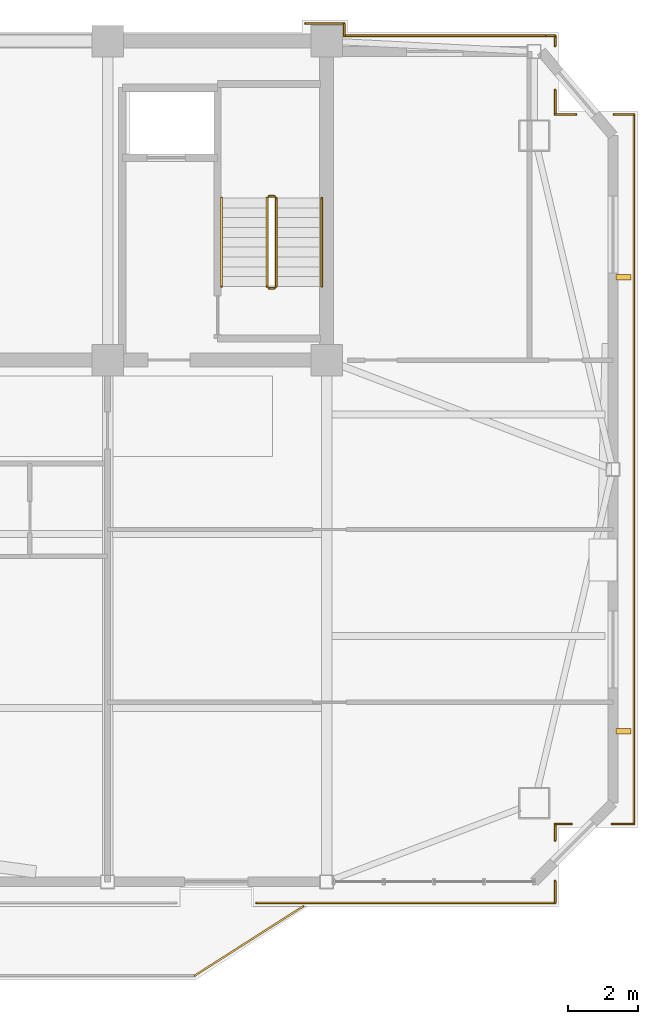
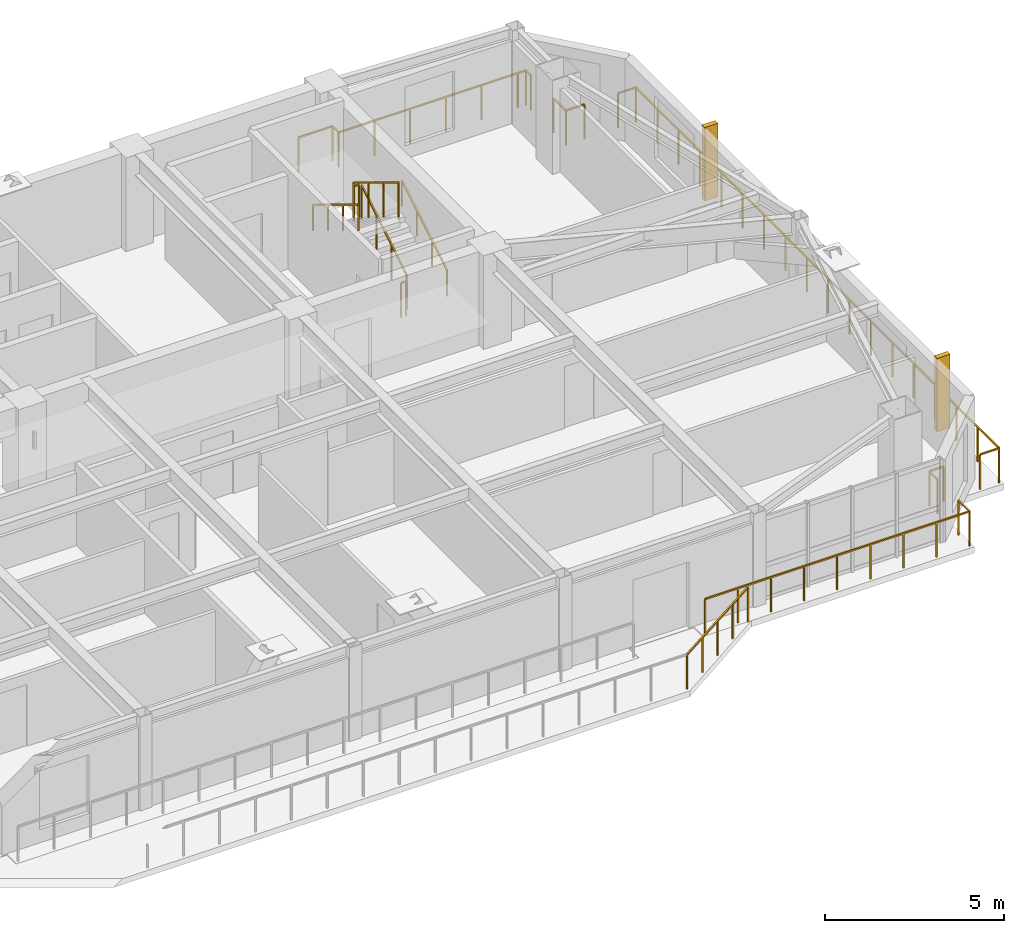
# One storey, part 12 of 12: 21 railings, 2 shading devices.
"""IFC4 building model written with IfcOpenShell, lengths in metres."""

from ifc_helpers import new_model, si_unit, direction, frame, origin, origin_2d, place, context, subcontext, project, spatial, rectangle, extrude, source, transform, mapped, material, type_object, element, save


model = new_model("IFC4")

# Units and contexts
model_context = context("Model", 3, precision=1e-05, world=origin(), true_north=direction((0.0, 1.0)))
body_context = subcontext(model_context, "Body", "Model", "MODEL_VIEW")
ifc_project = project(units=[si_unit("LENGTHUNIT", "METRE"), si_unit("AREAUNIT", "SQUARE_METRE"), si_unit("VOLUMEUNIT", "CUBIC_METRE"), si_unit("PLANEANGLEUNIT", "RADIAN"), si_unit("MASSUNIT", "GRAM", prefix="KILO")], contexts=[model_context])

# Site, building, storey
site_placement = place(None, origin())
site = spatial("IfcSite", under=ifc_project, at=site_placement, CompositionType="ELEMENT")
building_placement = place(site_placement, origin())
building = spatial("IfcBuilding", under=site, at=building_placement, Name="Giltprow Tower", CompositionType="ELEMENT")
storey_placement = place(building_placement, frame((0.0, 0.0, 339.10009765625)))
storey = spatial("IfcBuildingStorey", under=building, at=storey_placement, Name="L88", CompositionType="ELEMENT", Elevation=339.10009765625)

# Railings
ifc_material = material(Name="Anodized bronze", Category="metal")
railing_type_1 = type_object("IfcRailingType", Name="RAIL-BALC-GUARD-1200", PredefinedType="BALUSTRADE", material=ifc_material)
railing_1_placement = place(storey_placement, frame((46.780029296875, 19.887939453125, 0.0)))
element("IfcRailing", 1, at=railing_1_placement, inside=storey, type_object=railing_type_1, Name="L88 Waterfront Balcony Balustrade Seg 3", PredefinedType="BALUSTRADE", context=body_context, shape_type="SweptSolid", body=[
    extrude(rectangle(XDim=0.048095703125, YDim=0.048095703125, at=origin_2d()), frame((0.0, 0.0, 1.17578125), z_axis=(0.842755646126, 0.538296313309, 0.0), x_axis=(-0.538296313309, 0.842755646126, 0.0)), (0.0, 0.0, 1.0), 3.67822265625),
    extrude(rectangle(XDim=0.0419921875, YDim=0.0419921875, at=origin_2d()), origin(), (0.0, 0.0, 1.0), 1.15185546875),
    extrude(rectangle(XDim=0.0419921875, YDim=0.0419921875, at=origin_2d()), frame((0.77490234375, 0.4951171875, 0.0)), (0.0, 0.0, 1.0), 1.15185546875),
    extrude(rectangle(XDim=0.0419921875, YDim=0.0419921875, at=origin_2d()), frame((1.5498046875, 0.989990234375, 0.0)), (0.0, 0.0, 1.0), 1.15185546875),
    extrude(rectangle(XDim=0.0419921875, YDim=0.0419921875, at=origin_2d()), frame((2.324951171875, 1.48486328125, 0.0)), (0.0, 0.0, 1.0), 1.15185546875),
    extrude(rectangle(XDim=0.0419921875, YDim=0.0419921875, at=origin_2d()), frame((3.099853515625, 1.97998046875, 0.0)), (0.0, 0.0, 1.0), 1.15185546875),
])
railing_2_placement = place(storey_placement, frame((59.31494140625, 44.4541015625, 0.0)))
element("IfcRailing", 2, at=railing_2_placement, inside=storey, type_object=railing_type_1, Name="L88 Corner Apron Edge Balustrade 1", PredefinedType="BALUSTRADE", context=body_context, shape_type="SweptSolid", body=[
    extrude(rectangle(XDim=0.048095703125, YDim=0.048095703125, at=origin_2d()), frame((0.0, 0.0, 1.17578125), z_axis=(0.0, -1.0, 0.0), x_axis=(1.0, 0.0, 0.0)), (0.0, 0.0, 1.0), 20.239990234375),
    extrude(rectangle(XDim=0.0419921875, YDim=0.0419921875, at=origin_2d()), origin(), (0.0, 0.0, 1.0), 1.15185546875),
    extrude(rectangle(XDim=0.0419921875, YDim=0.0419921875, at=origin_2d()), frame((0.0, -1.190673828125, 0.0)), (0.0, 0.0, 1.0), 1.15185546875),
    extrude(rectangle(XDim=0.0419921875, YDim=0.0419921875, at=origin_2d()), frame((0.0, -2.381103515625, 0.0)), (0.0, 0.0, 1.0), 1.15185546875),
    extrude(rectangle(XDim=0.0419921875, YDim=0.0419921875, at=origin_2d()), frame((0.0, -3.57177734375, 0.0)), (0.0, 0.0, 1.0), 1.15185546875),
    extrude(rectangle(XDim=0.0419921875, YDim=0.0419921875, at=origin_2d()), frame((0.0, -4.762451171875, 0.0)), (0.0, 0.0, 1.0), 1.15185546875),
    extrude(rectangle(XDim=0.0419921875, YDim=0.0419921875, at=origin_2d()), frame((0.0, -5.952880859375, 0.0)), (0.0, 0.0, 1.0), 1.15185546875),
    extrude(rectangle(XDim=0.0419921875, YDim=0.0419921875, at=origin_2d()), frame((0.0, -7.1435546875, 0.0)), (0.0, 0.0, 1.0), 1.15185546875),
    extrude(rectangle(XDim=0.0419921875, YDim=0.0419921875, at=origin_2d()), frame((0.0, -8.334228515625, 0.0)), (0.0, 0.0, 1.0), 1.15185546875),
    extrude(rectangle(XDim=0.0419921875, YDim=0.0419921875, at=origin_2d()), frame((0.0, -9.524658203125, 0.0)), (0.0, 0.0, 1.0), 1.15185546875),
    extrude(rectangle(XDim=0.0419921875, YDim=0.0419921875, at=origin_2d()), frame((0.0, -10.71533203125, 0.0)), (0.0, 0.0, 1.0), 1.15185546875),
    extrude(rectangle(XDim=0.0419921875, YDim=0.0419921875, at=origin_2d()), frame((0.0, -11.90576171875, 0.0)), (0.0, 0.0, 1.0), 1.15185546875),
    extrude(rectangle(XDim=0.0419921875, YDim=0.0419921875, at=origin_2d()), frame((0.0, -13.096435546875, 0.0)), (0.0, 0.0, 1.0), 1.15185546875),
    extrude(rectangle(XDim=0.0419921875, YDim=0.0419921875, at=origin_2d()), frame((0.0, -14.287109375, 0.0)), (0.0, 0.0, 1.0), 1.15185546875),
    extrude(rectangle(XDim=0.0419921875, YDim=0.0419921875, at=origin_2d()), frame((0.0, -15.4775390625, 0.0)), (0.0, 0.0, 1.0), 1.15185546875),
    extrude(rectangle(XDim=0.0419921875, YDim=0.0419921875, at=origin_2d()), frame((0.0, -16.668212890625, 0.0)), (0.0, 0.0, 1.0), 1.15185546875),
    extrude(rectangle(XDim=0.0419921875, YDim=0.0419921875, at=origin_2d()), frame((0.0, -17.85888671875, 0.0)), (0.0, 0.0, 1.0), 1.15185546875),
    extrude(rectangle(XDim=0.0419921875, YDim=0.0419921875, at=origin_2d()), frame((0.0, -19.04931640625, 0.0)), (0.0, 0.0, 1.0), 1.15185546875),
    extrude(rectangle(XDim=0.0419921875, YDim=0.0419921875, at=origin_2d()), frame((0.0, -20.239990234375, 0.0)), (0.0, 0.0, 1.0), 1.15185546875),
])
railing_3_placement = place(storey_placement, frame((59.31494140625, 24.214111328125, 0.0)))
element("IfcRailing", 3, at=railing_3_placement, inside=storey, type_object=railing_type_1, Name="L88 Corner Apron Edge Balustrade 2", PredefinedType="BALUSTRADE", context=body_context, shape_type="SweptSolid", body=[
    extrude(rectangle(XDim=0.048095703125, YDim=0.048095703125, at=origin_2d()), frame((0.0, 0.0, 1.17578125), z_axis=(-1.0, 0.0, 0.0), x_axis=(0.0, -1.0, 0.0)), (0.0, 0.0, 1.0), 0.619873046875),
    extrude(rectangle(XDim=0.0419921875, YDim=0.0419921875, at=origin_2d()), origin(), (0.0, 0.0, 1.0), 1.15185546875),
    extrude(rectangle(XDim=0.0419921875, YDim=0.0419921875, at=origin_2d()), frame((-0.619873046875, 0.0, 0.0)), (0.0, 0.0, 1.0), 1.15185546875),
])
railing_4_placement = place(storey_placement, frame((57.534912109375, 24.214111328125, 0.0)))
element("IfcRailing", 4, at=railing_4_placement, inside=storey, type_object=railing_type_1, Name="L88 Corner Apron Edge Balustrade 3", PredefinedType="BALUSTRADE", context=body_context, shape_type="SweptSolid", body=[
    extrude(rectangle(XDim=0.048095703125, YDim=0.048095703125, at=origin_2d()), frame((0.0, 0.0, 1.17578125), z_axis=(-1.0, 0.0, 0.0), x_axis=(0.0, -1.0, 0.0)), (0.0, 0.0, 1.0), 0.4658203125),
    extrude(rectangle(XDim=0.0419921875, YDim=0.0419921875, at=origin_2d()), origin(), (0.0, 0.0, 1.0), 1.15185546875),
    extrude(rectangle(XDim=0.0419921875, YDim=0.0419921875, at=origin_2d()), frame((-0.4658203125, 0.0, 0.0)), (0.0, 0.0, 1.0), 1.15185546875),
])
railing_5_placement = place(storey_placement, frame((57.069091796875, 24.214111328125, 0.0)))
element("IfcRailing", 5, at=railing_5_placement, inside=storey, type_object=railing_type_1, Name="L88 Corner Apron Edge Balustrade 4", PredefinedType="BALUSTRADE", context=body_context, shape_type="SweptSolid", body=[
    extrude(rectangle(XDim=0.048095703125, YDim=0.048095703125, at=origin_2d()), frame((0.0, 0.0, 1.17578125), z_axis=(0.0, -1.0, 0.0), x_axis=(1.0, 0.0, 0.0)), (0.0, 0.0, 1.0), 0.466064453125),
    extrude(rectangle(XDim=0.0419921875, YDim=0.0419921875, at=origin_2d()), origin(), (0.0, 0.0, 1.0), 1.15185546875),
    extrude(rectangle(XDim=0.0419921875, YDim=0.0419921875, at=origin_2d()), frame((0.0, -0.466064453125, 0.0)), (0.0, 0.0, 1.0), 1.15185546875),
])
railing_6_placement = place(storey_placement, frame((57.069091796875, 22.587890625, 0.0)))
element("IfcRailing", 6, at=railing_6_placement, inside=storey, type_object=railing_type_1, Name="L88 Corner Apron Edge Balustrade 5", PredefinedType="BALUSTRADE", context=body_context, shape_type="SweptSolid", body=[
    extrude(rectangle(XDim=0.048095703125, YDim=0.048095703125, at=origin_2d()), frame((0.0, 0.0, 1.17578125), z_axis=(0.0, -1.0, 0.0), x_axis=(1.0, 0.0, 0.0)), (0.0, 0.0, 1.0), 0.619873046875),
    extrude(rectangle(XDim=0.0419921875, YDim=0.0419921875, at=origin_2d()), origin(), (0.0, 0.0, 1.0), 1.15185546875),
    extrude(rectangle(XDim=0.0419921875, YDim=0.0419921875, at=origin_2d()), frame((0.0, -0.619873046875, 0.0)), (0.0, 0.0, 1.0), 1.15185546875),
])
railing_7_placement = place(storey_placement, frame((57.069091796875, 21.968017578125, 0.0)))
element("IfcRailing", 7, at=railing_7_placement, inside=storey, type_object=railing_type_1, Name="L88 Corner Apron Edge Balustrade 6", PredefinedType="BALUSTRADE", context=body_context, shape_type="SweptSolid", body=[
    extrude(rectangle(XDim=0.048095703125, YDim=0.048095703125, at=origin_2d()), frame((0.0, 0.0, 1.17578125), z_axis=(-1.0, 0.0, 0.0), x_axis=(0.0, -1.0, 0.0)), (0.0, 0.0, 1.0), 8.51904296875),
    extrude(rectangle(XDim=0.0419921875, YDim=0.0419921875, at=origin_2d()), origin(), (0.0, 0.0, 1.0), 1.15185546875),
    extrude(rectangle(XDim=0.0419921875, YDim=0.0419921875, at=origin_2d()), frame((-1.06494140625, 0.0, 0.0)), (0.0, 0.0, 1.0), 1.15185546875),
    extrude(rectangle(XDim=0.0419921875, YDim=0.0419921875, at=origin_2d()), frame((-2.1298828125, 0.0, 0.0)), (0.0, 0.0, 1.0), 1.15185546875),
    extrude(rectangle(XDim=0.0419921875, YDim=0.0419921875, at=origin_2d()), frame((-3.194580078125, 0.0, 0.0)), (0.0, 0.0, 1.0), 1.15185546875),
    extrude(rectangle(XDim=0.0419921875, YDim=0.0419921875, at=origin_2d()), frame((-4.259521484375, 0.0, 0.0)), (0.0, 0.0, 1.0), 1.15185546875),
    extrude(rectangle(XDim=0.0419921875, YDim=0.0419921875, at=origin_2d()), frame((-5.324462890625, 0.0, 0.0)), (0.0, 0.0, 1.0), 1.15185546875),
    extrude(rectangle(XDim=0.0419921875, YDim=0.0419921875, at=origin_2d()), frame((-6.38916015625, 0.0, 0.0)), (0.0, 0.0, 1.0), 1.15185546875),
    extrude(rectangle(XDim=0.0419921875, YDim=0.0419921875, at=origin_2d()), frame((-7.4541015625, 0.0, 0.0)), (0.0, 0.0, 1.0), 1.15185546875),
    extrude(rectangle(XDim=0.0419921875, YDim=0.0419921875, at=origin_2d()), frame((-8.51904296875, 0.0, 0.0)), (0.0, 0.0, 1.0), 1.15185546875),
])
railing_8_placement = place(storey_placement, frame((49.949951171875, 47.050048828125, 0.0)))
element("IfcRailing", 8, at=railing_8_placement, inside=storey, type_object=railing_type_1, Name="L88 Corner Apron Edge Balustrade 22", PredefinedType="BALUSTRADE", context=body_context, shape_type="SweptSolid", body=[
    extrude(rectangle(XDim=0.048095703125, YDim=0.048095703125, at=origin_2d()), frame((0.0, 0.0, 1.17578125), z_axis=(1.0, 0.0, 0.0), x_axis=(0.0, 1.0, 0.0)), (0.0, 0.0, 1.0), 1.10009765625),
    extrude(rectangle(XDim=0.0419921875, YDim=0.0419921875, at=origin_2d()), origin(), (0.0, 0.0, 1.0), 1.15185546875),
    extrude(rectangle(XDim=0.0419921875, YDim=0.0419921875, at=origin_2d()), frame((1.10009765625, 0.0, 0.0)), (0.0, 0.0, 1.0), 1.15185546875),
])
railing_9_placement = place(storey_placement, frame((51.050048828125, 47.050048828125, 0.0)))
element("IfcRailing", 9, at=railing_9_placement, inside=storey, type_object=railing_type_1, Name="L88 Corner Apron Edge Balustrade 23", PredefinedType="BALUSTRADE", context=body_context, shape_type="SweptSolid", body=[
    extrude(rectangle(XDim=0.048095703125, YDim=0.048095703125, at=origin_2d()), frame((0.0, 0.0, 1.17578125), z_axis=(0.0, -1.0, 0.0), x_axis=(1.0, 0.0, 0.0)), (0.0, 0.0, 1.0), 0.35009765625),
    extrude(rectangle(XDim=0.0419921875, YDim=0.0419921875, at=origin_2d()), origin(), (0.0, 0.0, 1.0), 1.15185546875),
    extrude(rectangle(XDim=0.0419921875, YDim=0.0419921875, at=origin_2d()), frame((0.0, -0.35009765625, 0.0)), (0.0, 0.0, 1.0), 1.15185546875),
])
railing_10_placement = place(storey_placement, frame((51.050048828125, 46.699951171875, 0.0)))
element("IfcRailing", 10, at=railing_10_placement, inside=storey, type_object=railing_type_1, Name="L88 Corner Apron Edge Balustrade 24", PredefinedType="BALUSTRADE", context=body_context, shape_type="SweptSolid", body=[
    extrude(rectangle(XDim=0.048095703125, YDim=0.048095703125, at=origin_2d()), frame((0.0, 0.0, 1.17578125), z_axis=(1.0, 0.0, 0.0), x_axis=(0.0, 1.0, 0.0)), (0.0, 0.0, 1.0), 5.745849609375),
    extrude(rectangle(XDim=0.0419921875, YDim=0.0419921875, at=origin_2d()), origin(), (0.0, 0.0, 1.0), 1.15185546875),
    extrude(rectangle(XDim=0.0419921875, YDim=0.0419921875, at=origin_2d()), frame((1.149169921875, 0.0, 0.0)), (0.0, 0.0, 1.0), 1.15185546875),
    extrude(rectangle(XDim=0.0419921875, YDim=0.0419921875, at=origin_2d()), frame((2.29833984375, 0.0, 0.0)), (0.0, 0.0, 1.0), 1.15185546875),
    extrude(rectangle(XDim=0.0419921875, YDim=0.0419921875, at=origin_2d()), frame((3.447509765625, 0.0, 0.0)), (0.0, 0.0, 1.0), 1.15185546875),
    extrude(rectangle(XDim=0.0419921875, YDim=0.0419921875, at=origin_2d()), frame((4.5966796875, 0.0, 0.0)), (0.0, 0.0, 1.0), 1.15185546875),
    extrude(rectangle(XDim=0.0419921875, YDim=0.0419921875, at=origin_2d()), frame((5.745849609375, 0.0, 0.0)), (0.0, 0.0, 1.0), 1.15185546875),
])
railing_11_placement = place(storey_placement, frame((56.823974609375, 46.699951171875, 0.0)))
element("IfcRailing", 11, at=railing_11_placement, inside=storey, type_object=railing_type_1, Name="L88 Corner Apron Edge Balustrade 25", PredefinedType="BALUSTRADE", context=body_context, shape_type="SweptSolid", body=[
    extrude(rectangle(XDim=0.048095703125, YDim=0.048095703125, at=origin_2d()), frame((0.0, 0.0, 1.17578125), z_axis=(1.0, 0.0, 0.0), x_axis=(0.0, 1.0, 0.0)), (0.0, 0.0, 1.0), 0.2451171875),
    extrude(rectangle(XDim=0.0419921875, YDim=0.0419921875, at=origin_2d()), origin(), (0.0, 0.0, 1.0), 1.15185546875),
    extrude(rectangle(XDim=0.0419921875, YDim=0.0419921875, at=origin_2d()), frame((0.2451171875, 0.0, 0.0)), (0.0, 0.0, 1.0), 1.15185546875),
])
railing_12_placement = place(storey_placement, frame((57.069091796875, 46.699951171875, 0.0)))
element("IfcRailing", 12, at=railing_12_placement, inside=storey, type_object=railing_type_1, Name="L88 Corner Apron Edge Balustrade 26", PredefinedType="BALUSTRADE", context=body_context, shape_type="SweptSolid", body=[
    extrude(rectangle(XDim=0.048095703125, YDim=0.048095703125, at=origin_2d()), frame((0.0, 0.0, 1.17578125), z_axis=(0.0, -1.0, 0.0), x_axis=(1.0, 0.0, 0.0)), (0.0, 0.0, 1.0), 0.286865234375),
    extrude(rectangle(XDim=0.0419921875, YDim=0.0419921875, at=origin_2d()), origin(), (0.0, 0.0, 1.0), 1.15185546875),
    extrude(rectangle(XDim=0.0419921875, YDim=0.0419921875, at=origin_2d()), frame((0.0, -0.286865234375, 0.0)), (0.0, 0.0, 1.0), 1.15185546875),
])
railing_13_placement = place(storey_placement, frame((57.069091796875, 45.14990234375, 0.0)))
element("IfcRailing", 13, at=railing_13_placement, inside=storey, type_object=railing_type_1, Name="L88 Corner Apron Edge Balustrade 27", PredefinedType="BALUSTRADE", context=body_context, shape_type="SweptSolid", body=[
    extrude(rectangle(XDim=0.048095703125, YDim=0.048095703125, at=origin_2d()), frame((0.0, 0.0, 1.17578125), z_axis=(0.0, -1.0, 0.0), x_axis=(1.0, 0.0, 0.0)), (0.0, 0.0, 1.0), 0.69580078125),
    extrude(rectangle(XDim=0.0419921875, YDim=0.0419921875, at=origin_2d()), origin(), (0.0, 0.0, 1.0), 1.15185546875),
    extrude(rectangle(XDim=0.0419921875, YDim=0.0419921875, at=origin_2d()), frame((0.0, -0.69580078125, 0.0)), (0.0, 0.0, 1.0), 1.15185546875),
])
railing_14_placement = place(storey_placement, frame((57.069091796875, 44.4541015625, 0.0)))
element("IfcRailing", 14, at=railing_14_placement, inside=storey, type_object=railing_type_1, Name="L88 Corner Apron Edge Balustrade 28", PredefinedType="BALUSTRADE", context=body_context, shape_type="SweptSolid", body=[
    extrude(rectangle(XDim=0.048095703125, YDim=0.048095703125, at=origin_2d()), frame((0.0, 0.0, 1.17578125), z_axis=(1.0, 0.0, 0.0), x_axis=(0.0, 1.0, 0.0)), (0.0, 0.0, 1.0), 0.594970703125),
    extrude(rectangle(XDim=0.0419921875, YDim=0.0419921875, at=origin_2d()), origin(), (0.0, 0.0, 1.0), 1.15185546875),
    extrude(rectangle(XDim=0.0419921875, YDim=0.0419921875, at=origin_2d()), frame((0.594970703125, 0.0, 0.0)), (0.0, 0.0, 1.0), 1.15185546875),
])
railing_15_placement = place(storey_placement, frame((58.741943359375, 44.4541015625, 0.0)))
element("IfcRailing", 15, at=railing_15_placement, inside=storey, type_object=railing_type_1, Name="L88 Corner Apron Edge Balustrade 29", PredefinedType="BALUSTRADE", context=body_context, shape_type="SweptSolid", body=[
    extrude(rectangle(XDim=0.048095703125, YDim=0.048095703125, at=origin_2d()), frame((0.0, 0.0, 1.17578125), z_axis=(1.0, 0.0, 0.0), x_axis=(0.0, 1.0, 0.0)), (0.0, 0.0, 1.0), 0.572998046875),
    extrude(rectangle(XDim=0.0419921875, YDim=0.0419921875, at=origin_2d()), origin(), (0.0, 0.0, 1.0), 1.15185546875),
    extrude(rectangle(XDim=0.0419921875, YDim=0.0419921875, at=origin_2d()), frame((0.572998046875, 0.0, 0.0)), (0.0, 0.0, 1.0), 1.15185546875),
])
railing_type_2 = type_object("IfcRailingType", Name="RAIL-STAIR-GUARD-1200", PredefinedType="GUARDRAIL", material=ifc_material)
railing_16_placement = place(storey_placement, frame((49.110107421875, 39.550048828125, 0.169921875)))
element("IfcRailing", 16, at=railing_16_placement, inside=storey, type_object=railing_type_2, Name="L88 ST-3 stair guard 1", PredefinedType="GUARDRAIL", context=body_context, shape_type="SweptSolid", body=[
    extrude(rectangle(XDim=0.048095703125, YDim=0.048095703125, at=origin_2d()), frame((0.0, 0.0, 1.17578125), z_axis=(0.0, 0.85478489116, 0.518982456201), x_axis=(-1.0, 0.0, 0.0)), (0.0, 0.0, 1.0), 2.9482421875),
    extrude(rectangle(XDim=0.0419921875, YDim=0.0419921875, at=origin_2d()), origin(), (0.0, 0.0, 1.0), 1.15185546875),
    extrude(rectangle(XDim=0.0419921875, YDim=0.0419921875, at=origin_2d()), frame((0.0, 0.840087890625, 0.510009765625)), (0.0, 0.0, 1.0), 1.15185546875),
    extrude(rectangle(XDim=0.0419921875, YDim=0.0419921875, at=origin_2d()), frame((0.0, 1.679931640625, 1.02001953125)), (0.0, 0.0, 1.0), 1.15185546875),
    extrude(rectangle(XDim=0.0419921875, YDim=0.0419921875, at=origin_2d()), frame((0.0, 2.52001953125, 1.530029296875)), (0.0, 0.0, 1.0), 1.15185546875),
])
railing_17_placement = place(storey_placement, frame((49.06005859375, 42.1201171875, 1.699951171875)))
element("IfcRailing", 17, at=railing_17_placement, inside=storey, type_object=railing_type_2, Name="L88 ST-3 stair guard 2", PredefinedType="GUARDRAIL", context=body_context, shape_type="SweptSolid", body=[
    extrude(rectangle(XDim=0.048095703125, YDim=0.048095703125, at=origin_2d()), frame((0.0, 0.0, 1.17578125), z_axis=(-1.0, 0.0, 0.0), x_axis=(0.0, -1.0, 0.0)), (0.0, 0.0, 1.0), 0.16015625),
    extrude(rectangle(XDim=0.0419921875, YDim=0.0419921875, at=origin_2d()), origin(), (0.0, 0.0, 1.0), 1.15185546875),
    extrude(rectangle(XDim=0.0419921875, YDim=0.0419921875, at=origin_2d()), frame((-0.16015625, 0.0, 0.0)), (0.0, 0.0, 1.0), 1.15185546875),
])
railing_18_placement = place(storey_placement, frame((48.85009765625, 42.070068359375, 1.869873046875)))
element("IfcRailing", 18, at=railing_18_placement, inside=storey, type_object=railing_type_2, Name="L88 ST-3 stair guard 3", PredefinedType="GUARDRAIL", context=body_context, shape_type="SweptSolid", body=[
    extrude(rectangle(XDim=0.048095703125, YDim=0.048095703125, at=origin_2d()), frame((0.0, 0.0, 1.17578125), z_axis=(0.0, -0.85478489116, 0.518982456201), x_axis=(1.0, 0.0, 0.0)), (0.0, 0.0, 1.0), 2.9482421875),
    extrude(rectangle(XDim=0.0419921875, YDim=0.0419921875, at=origin_2d()), origin(), (0.0, 0.0, 1.0), 1.15185546875),
    extrude(rectangle(XDim=0.0419921875, YDim=0.0419921875, at=origin_2d()), frame((0.0, -0.840087890625, 0.510009765625)), (0.0, 0.0, 1.0), 1.15185546875),
    extrude(rectangle(XDim=0.0419921875, YDim=0.0419921875, at=origin_2d()), frame((0.0, -1.679931640625, 1.02001953125)), (0.0, 0.0, 1.0), 1.15185546875),
    extrude(rectangle(XDim=0.0419921875, YDim=0.0419921875, at=origin_2d()), frame((0.0, -2.52001953125, 1.530029296875)), (0.0, 0.0, 1.0), 1.15185546875),
])
railing_19_placement = place(storey_placement, frame((49.06005859375, 39.5, 0.0)))
element("IfcRailing", 19, at=railing_19_placement, inside=storey, type_object=railing_type_2, Name="L88 ST-3 stair guard 4", PredefinedType="GUARDRAIL", context=body_context, shape_type="SweptSolid", body=[
    extrude(rectangle(XDim=0.048095703125, YDim=0.048095703125, at=origin_2d()), frame((0.0, 0.0, 1.17578125), z_axis=(-1.0, 0.0, 0.0), x_axis=(0.0, -1.0, 0.0)), (0.0, 0.0, 1.0), 0.16015625),
    extrude(rectangle(XDim=0.0419921875, YDim=0.0419921875, at=origin_2d()), origin(), (0.0, 0.0, 1.0), 1.15185546875),
    extrude(rectangle(XDim=0.0419921875, YDim=0.0419921875, at=origin_2d()), frame((-0.16015625, 0.0, 0.0)), (0.0, 0.0, 1.0), 1.15185546875),
])
railing_type_3 = type_object("IfcRailingType", Name="RAIL-STAIR-HAND-900", PredefinedType="HANDRAIL", material=ifc_material)
railing_20_placement = place(storey_placement, frame((50.409912109375, 39.550048828125, 0.169921875)))
element("IfcRailing", 20, at=railing_20_placement, inside=storey, type_object=railing_type_3, Name="L88 ST-3 stair handrail 1", PredefinedType="HANDRAIL", context=body_context, shape_type="SweptSolid", body=[
    extrude(rectangle(XDim=0.048095703125, YDim=0.048095703125, at=origin_2d()), frame((0.0, 0.0, 0.8759765625), z_axis=(0.0, 0.85478489116, 0.518982456201), x_axis=(-1.0, 0.0, 0.0)), (0.0, 0.0, 1.0), 2.9482421875),
    extrude(rectangle(XDim=0.0419921875, YDim=0.0419921875, at=origin_2d()), origin(), (0.0, 0.0, 1.0), 0.851806640625),
    extrude(rectangle(XDim=0.0419921875, YDim=0.0419921875, at=origin_2d()), frame((0.0, 0.840087890625, 0.510009765625)), (0.0, 0.0, 1.0), 0.851806640625),
    extrude(rectangle(XDim=0.0419921875, YDim=0.0419921875, at=origin_2d()), frame((0.0, 1.679931640625, 1.02001953125)), (0.0, 0.0, 1.0), 0.851806640625),
    extrude(rectangle(XDim=0.0419921875, YDim=0.0419921875, at=origin_2d()), frame((0.0, 2.52001953125, 1.530029296875)), (0.0, 0.0, 1.0), 0.851806640625),
])
railing_21_placement = place(storey_placement, frame((47.550048828125, 42.070068359375, 1.869873046875)))
element("IfcRailing", 21, at=railing_21_placement, inside=storey, type_object=railing_type_3, Name="L88 ST-3 stair handrail 2", PredefinedType="HANDRAIL", context=body_context, shape_type="SweptSolid", body=[
    extrude(rectangle(XDim=0.048095703125, YDim=0.048095703125, at=origin_2d()), frame((0.0, 0.0, 0.8759765625), z_axis=(0.0, -0.85478489116, 0.518982456201), x_axis=(1.0, 0.0, 0.0)), (0.0, 0.0, 1.0), 2.9482421875),
    extrude(rectangle(XDim=0.0419921875, YDim=0.0419921875, at=origin_2d()), origin(), (0.0, 0.0, 1.0), 0.851806640625),
    extrude(rectangle(XDim=0.0419921875, YDim=0.0419921875, at=origin_2d()), frame((0.0, -0.840087890625, 0.510009765625)), (0.0, 0.0, 1.0), 0.851806640625),
    extrude(rectangle(XDim=0.0419921875, YDim=0.0419921875, at=origin_2d()), frame((0.0, -1.679931640625, 1.02001953125)), (0.0, 0.0, 1.0), 0.851806640625),
    extrude(rectangle(XDim=0.0419921875, YDim=0.0419921875, at=origin_2d()), frame((0.0, -2.52001953125, 1.530029296875)), (0.0, 0.0, 1.0), 0.851806640625),
])

# Shading devices
shading_device_type = type_object("IfcShadingDeviceType", Name="SHD-FIN-420", PredefinedType="USERDEFINED", material=ifc_material)
shared_shape = source(origin(), body_context, "Body", "SweptSolid", [
    extrude(rectangle(XDim=0.419921875, YDim=0.159912109375, at=origin_2d()), origin(), (0.0, 0.0, 1.0), 2.5),
])
for number, where, z_axis, x_axis, name in (
    (22, (59.014892578125, 26.862060546875, 0.349853515625), (0.0, 0.0, 1.0), (1.0, 0.0, 0.0), "L88 E Bronze Vertical Fin 1-1"),
    (23, (59.014892578125, 39.80908203125, 0.349853515625), (0.0, 0.0, 1.0), (1.0, 0.0, 0.0), "L88 E Bronze Vertical Fin 2-1"),
):
    element("IfcShadingDevice", number, at=place(storey_placement, frame(where, z_axis=z_axis, x_axis=x_axis)), inside=storey, type_object=shading_device_type, Name=name, ObjectType="FIN", PredefinedType="USERDEFINED", context=body_context, shape_type="MappedRepresentation", body=[
        mapped(shared_shape, transform((0.0, 0.0, 0.0), x_axis=(1.0, 0.0, 0.0), y_axis=(0.0, 1.0, 0.0), z_axis=(0.0, 0.0, 1.0), scale=1.0)),
    ])

save(model, "model.ifc")
